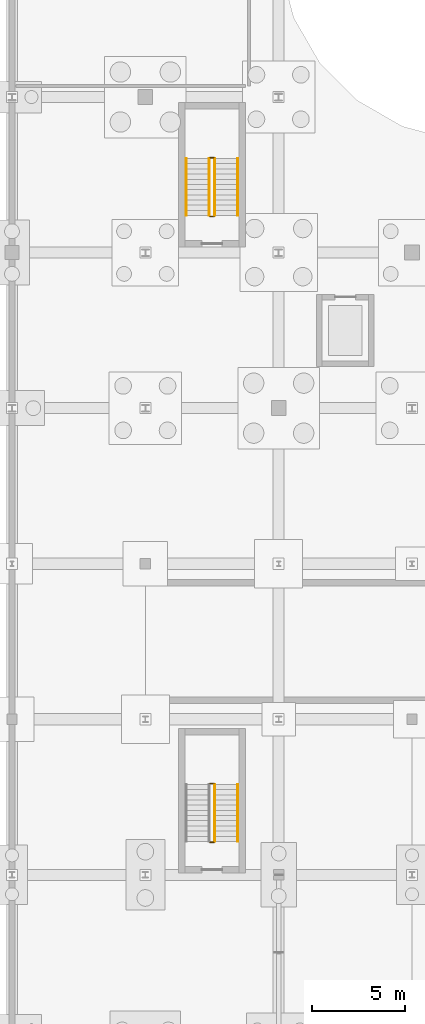
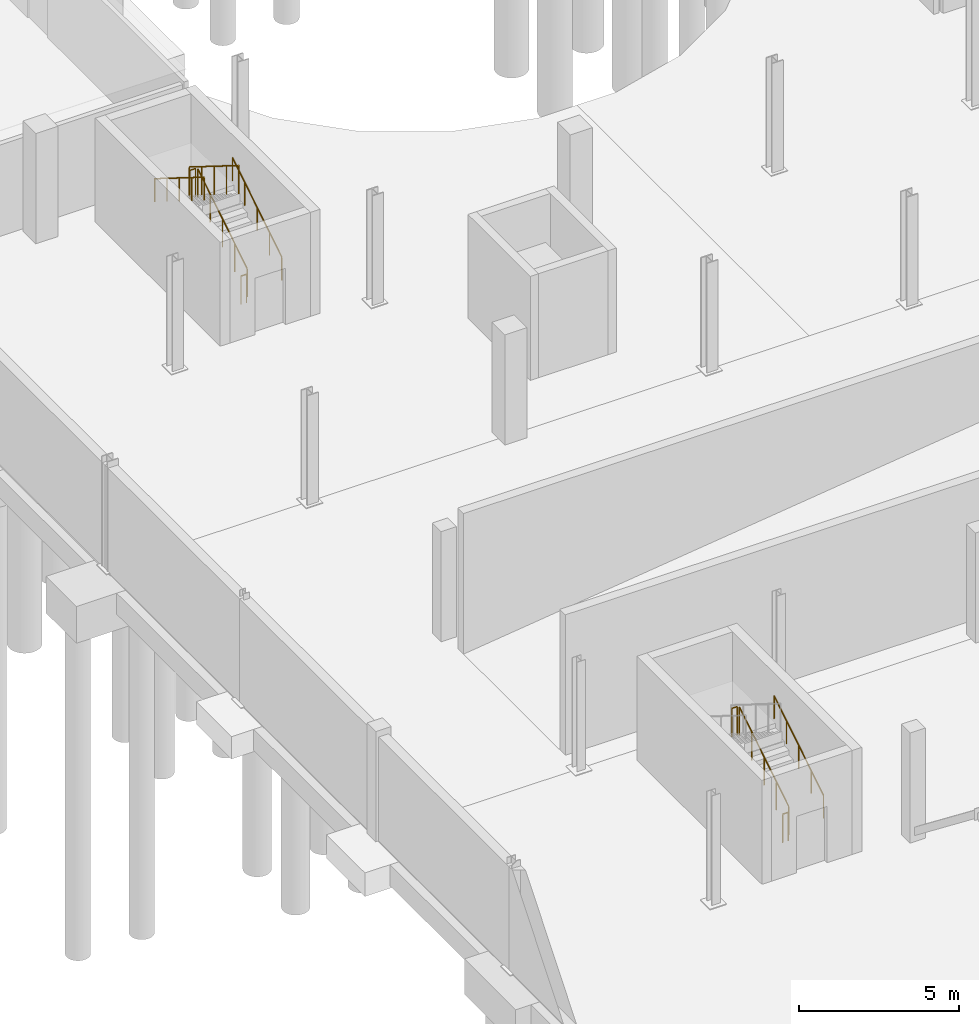
# One storey, part 27 of 32: 10 railings.
"""IFC4 building model written with IfcOpenShell, lengths in metres."""

from ifc_helpers import new_model, si_unit, direction, frame, origin, origin_2d, place, context, subcontext, project, spatial, circle, extrude, material, type_object, element, save


model = new_model("IFC4")

# Units and contexts
model_context = context("Model", 3, precision=1e-05, world=origin(), true_north=direction((0.0, 1.0)))
body_context = subcontext(model_context, "Body", "Model", "MODEL_VIEW")
ifc_project = project(units=[si_unit("LENGTHUNIT", "METRE"), si_unit("AREAUNIT", "SQUARE_METRE"), si_unit("VOLUMEUNIT", "CUBIC_METRE"), si_unit("PLANEANGLEUNIT", "RADIAN"), si_unit("MASSUNIT", "GRAM", prefix="KILO")], contexts=[model_context])

# Site, building, storey
site_placement = place(None, origin())
site = spatial("IfcSite", under=ifc_project, at=site_placement, CompositionType="ELEMENT")
building_placement = place(site_placement, origin())
building = spatial("IfcBuilding", under=site, at=building_placement, Name="Qelthora Terrace Specialist Clinic", CompositionType="ELEMENT")
storey_placement = place(building_placement, frame((0.0, 0.0, -4.199951171875)))
storey = spatial("IfcBuildingStorey", under=building, at=storey_placement, Name="B1", CompositionType="ELEMENT", Elevation=-4.199951171875)

# Railings
ifc_material = material(Name="Steel S355", Category="steel")
railing_type_1 = type_object("IfcRailingType", Name="RAL-GD-1100-S355", PredefinedType="GUARDRAIL", material=ifc_material)
railing_1_placement = place(storey_placement, frame((10.949951171875, 69.199951171875, 0.175048828125)))
element("IfcRailing", 1, at=railing_1_placement, inside=storey, type_object=railing_type_1, Name="B1 ST-01 stair guard 1", PredefinedType="GUARDRAIL", context=body_context, shape_type="SweptSolid", body=[
    extrude(circle(Radius=0.02392578125, at=origin_2d()), frame((0.0, 0.0, 1.076171875), z_axis=(0.0, 0.848028513186, 0.529950602248), x_axis=(-1.0, 0.0, 0.0)), (0.0, 0.0, 1.0), 3.632080078125),
    extrude(circle(Radius=0.02099609375, at=origin_2d()), origin(), (0.0, 0.0, 1.0), 1.052001953125),
    extrude(circle(Radius=0.02099609375, at=origin_2d()), frame((0.0, 0.77001953125, 0.481201171875)), (0.0, 0.0, 1.0), 1.052001953125),
    extrude(circle(Radius=0.02099609375, at=origin_2d()), frame((0.0, 1.5400390625, 0.96240234375)), (0.0, 0.0, 1.0), 1.052001953125),
    extrude(circle(Radius=0.02099609375, at=origin_2d()), frame((0.0, 2.31005859375, 1.443603515625)), (0.0, 0.0, 1.0), 1.052001953125),
    extrude(circle(Radius=0.02099609375, at=origin_2d()), frame((0.0, 3.080078125, 1.9248046875)), (0.0, 0.0, 1.0), 1.052001953125),
])
railing_2_placement = place(storey_placement, frame((10.89990234375, 72.330078125, 2.099853515625)))
element("IfcRailing", 2, at=railing_2_placement, inside=storey, type_object=railing_type_1, Name="B1 ST-01 stair guard 2", PredefinedType="GUARDRAIL", context=body_context, shape_type="SweptSolid", body=[
    extrude(circle(Radius=0.02392578125, at=origin_2d()), frame((0.0, 0.0, 1.076171875), z_axis=(-1.0, 0.0, 0.0), x_axis=(0.0, -1.0, 0.0)), (0.0, 0.0, 1.0), 0.199951171875),
    extrude(circle(Radius=0.02099609375, at=origin_2d()), origin(), (0.0, 0.0, 1.0), 1.052001953125),
    extrude(circle(Radius=0.02099609375, at=origin_2d()), frame((-0.199951171875, 0.0, 0.0)), (0.0, 0.0, 1.0), 1.052001953125),
])
railing_3_placement = place(storey_placement, frame((10.64990234375, 72.280029296875, 2.27490234375)))
element("IfcRailing", 3, at=railing_3_placement, inside=storey, type_object=railing_type_1, Name="B1 ST-01 stair guard 3", PredefinedType="GUARDRAIL", context=body_context, shape_type="SweptSolid", body=[
    extrude(circle(Radius=0.02392578125, at=origin_2d()), frame((0.0, 0.0, 1.076171875), z_axis=(0.0, -0.847998304005, 0.529998940003), x_axis=(1.0, 0.0, 0.0)), (0.0, 0.0, 1.0), 3.632080078125),
    extrude(circle(Radius=0.02099609375, at=origin_2d()), origin(), (0.0, 0.0, 1.0), 1.052001953125),
    extrude(circle(Radius=0.02099609375, at=origin_2d()), frame((0.0, -0.77001953125, 0.481201171875)), (0.0, 0.0, 1.0), 1.052001953125),
    extrude(circle(Radius=0.02099609375, at=origin_2d()), frame((0.0, -1.5400390625, 0.96240234375)), (0.0, 0.0, 1.0), 1.052001953125),
    extrude(circle(Radius=0.02099609375, at=origin_2d()), frame((0.0, -2.31005859375, 1.44384765625)), (0.0, 0.0, 1.0), 1.052001953125),
    extrude(circle(Radius=0.02099609375, at=origin_2d()), frame((0.0, -3.080078125, 1.925048828125)), (0.0, 0.0, 1.0), 1.052001953125),
])
railing_4_placement = place(storey_placement, frame((10.89990234375, 69.14990234375, 0.0)))
element("IfcRailing", 4, at=railing_4_placement, inside=storey, type_object=railing_type_1, Name="B1 ST-01 stair guard 4", PredefinedType="GUARDRAIL", context=body_context, shape_type="SweptSolid", body=[
    extrude(circle(Radius=0.02392578125, at=origin_2d()), frame((0.0, 0.0, 1.076171875), z_axis=(-1.0, 0.0, 0.0), x_axis=(0.0, -1.0, 0.0)), (0.0, 0.0, 1.0), 0.199951171875),
    extrude(circle(Radius=0.02099609375, at=origin_2d()), origin(), (0.0, 0.0, 1.0), 1.052001953125),
    extrude(circle(Radius=0.02099609375, at=origin_2d()), frame((-0.199951171875, 0.0, 0.0)), (0.0, 0.0, 1.0), 1.052001953125),
])
railing_5_placement = place(storey_placement, frame((10.949951171875, 35.39990234375, 0.175048828125)))
element("IfcRailing", 5, at=railing_5_placement, inside=storey, type_object=railing_type_1, Name="B1 ST-04 stair guard 1", PredefinedType="GUARDRAIL", context=body_context, shape_type="SweptSolid", body=[
    extrude(circle(Radius=0.02392578125, at=origin_2d()), frame((0.0, 0.0, 1.076171875), z_axis=(0.0, 0.848028513186, 0.529950602248), x_axis=(-1.0, 0.0, 0.0)), (0.0, 0.0, 1.0), 3.632080078125),
    extrude(circle(Radius=0.02099609375, at=origin_2d()), origin(), (0.0, 0.0, 1.0), 1.052001953125),
    extrude(circle(Radius=0.02099609375, at=origin_2d()), frame((0.0, 0.77001953125, 0.481201171875)), (0.0, 0.0, 1.0), 1.052001953125),
    extrude(circle(Radius=0.02099609375, at=origin_2d()), frame((0.0, 1.5400390625, 0.96240234375)), (0.0, 0.0, 1.0), 1.052001953125),
    extrude(circle(Radius=0.02099609375, at=origin_2d()), frame((0.0, 2.31005859375, 1.443603515625)), (0.0, 0.0, 1.0), 1.052001953125),
    extrude(circle(Radius=0.02099609375, at=origin_2d()), frame((0.0, 3.080078125, 1.9248046875)), (0.0, 0.0, 1.0), 1.052001953125),
])
for number, where, name in (
    (6, (10.89990234375, 38.530029296875, 2.099853515625), "B1 ST-04 stair guard 2"),
    (7, (10.89990234375, 35.35009765625, 0.0), "B1 ST-04 stair guard 4"),
):
    element("IfcRailing", number, at=place(storey_placement, frame(where)), inside=storey, type_object=railing_type_1, Name=name, PredefinedType="GUARDRAIL", context=body_context, shape_type="SweptSolid", body=[
        extrude(circle(Radius=0.02392578125, at=origin_2d()), frame((0.0, 0.0, 1.076171875), z_axis=(-1.0, 0.0, 0.0), x_axis=(0.0, -1.0, 0.0)), (0.0, 0.0, 1.0), 0.199951171875),
        extrude(circle(Radius=0.02099609375, at=origin_2d()), origin(), (0.0, 0.0, 1.0), 1.052001953125),
        extrude(circle(Radius=0.02099609375, at=origin_2d()), frame((-0.199951171875, 0.0, 0.0)), (0.0, 0.0, 1.0), 1.052001953125),
    ])
railing_type_2 = type_object("IfcRailingType", Name="RAL-HR-900-S355", PredefinedType="HANDRAIL", material=ifc_material)
railing_6_placement = place(storey_placement, frame((12.199951171875, 69.199951171875, 0.367919921875)))
element("IfcRailing", 8, at=railing_6_placement, inside=storey, type_object=railing_type_2, Name="B1 ST-01 stair handrail 1", PredefinedType="HANDRAIL", context=body_context, shape_type="SweptSolid", body=[
    extrude(circle(Radius=0.02392578125, at=origin_2d()), frame((0.0, 0.0, 0.8759765625), z_axis=(0.0, 0.847998304005, 0.529998940003), x_axis=(-1.0, 0.0, 0.0)), (0.0, 0.0, 1.0), 3.632080078125),
    extrude(circle(Radius=0.02099609375, at=origin_2d()), origin(), (0.0, 0.0, 1.0), 0.851806640625),
    extrude(circle(Radius=0.02099609375, at=origin_2d()), frame((0.0, 0.77001953125, 0.481201171875)), (0.0, 0.0, 1.0), 0.851806640625),
    extrude(circle(Radius=0.02099609375, at=origin_2d()), frame((0.0, 1.5400390625, 0.96240234375)), (0.0, 0.0, 1.0), 0.851806640625),
    extrude(circle(Radius=0.02099609375, at=origin_2d()), frame((0.0, 2.31005859375, 1.44384765625)), (0.0, 0.0, 1.0), 0.851806640625),
    extrude(circle(Radius=0.02099609375, at=origin_2d()), frame((0.0, 3.080078125, 1.925048828125)), (0.0, 0.0, 1.0), 0.851806640625),
])
railing_7_placement = place(storey_placement, frame((9.39990234375, 72.280029296875, 2.468017578125)))
element("IfcRailing", 9, at=railing_7_placement, inside=storey, type_object=railing_type_2, Name="B1 ST-01 stair handrail 2", PredefinedType="HANDRAIL", context=body_context, shape_type="SweptSolid", body=[
    extrude(circle(Radius=0.02392578125, at=origin_2d()), frame((0.0, 0.0, 0.8759765625), z_axis=(0.0, -0.847998304005, 0.529998940003), x_axis=(1.0, 0.0, 0.0)), (0.0, 0.0, 1.0), 3.632080078125),
    extrude(circle(Radius=0.02099609375, at=origin_2d()), origin(), (0.0, 0.0, 1.0), 0.851806640625),
    extrude(circle(Radius=0.02099609375, at=origin_2d()), frame((0.0, -0.77001953125, 0.481201171875)), (0.0, 0.0, 1.0), 0.851806640625),
    extrude(circle(Radius=0.02099609375, at=origin_2d()), frame((0.0, -1.5400390625, 0.96240234375)), (0.0, 0.0, 1.0), 0.851806640625),
    extrude(circle(Radius=0.02099609375, at=origin_2d()), frame((0.0, -2.31005859375, 1.44384765625)), (0.0, 0.0, 1.0), 0.851806640625),
    extrude(circle(Radius=0.02099609375, at=origin_2d()), frame((0.0, -3.080078125, 1.925048828125)), (0.0, 0.0, 1.0), 0.851806640625),
])
railing_8_placement = place(storey_placement, frame((12.199951171875, 35.39990234375, 0.367919921875)))
element("IfcRailing", 10, at=railing_8_placement, inside=storey, type_object=railing_type_2, Name="B1 ST-04 stair handrail 1", PredefinedType="HANDRAIL", context=body_context, shape_type="SweptSolid", body=[
    extrude(circle(Radius=0.02392578125, at=origin_2d()), frame((0.0, 0.0, 0.8759765625), z_axis=(0.0, 0.847998304005, 0.529998940003), x_axis=(-1.0, 0.0, 0.0)), (0.0, 0.0, 1.0), 3.632080078125),
    extrude(circle(Radius=0.02099609375, at=origin_2d()), origin(), (0.0, 0.0, 1.0), 0.851806640625),
    extrude(circle(Radius=0.02099609375, at=origin_2d()), frame((0.0, 0.77001953125, 0.481201171875)), (0.0, 0.0, 1.0), 0.851806640625),
    extrude(circle(Radius=0.02099609375, at=origin_2d()), frame((0.0, 1.5400390625, 0.96240234375)), (0.0, 0.0, 1.0), 0.851806640625),
    extrude(circle(Radius=0.02099609375, at=origin_2d()), frame((0.0, 2.31005859375, 1.44384765625)), (0.0, 0.0, 1.0), 0.851806640625),
    extrude(circle(Radius=0.02099609375, at=origin_2d()), frame((0.0, 3.080078125, 1.925048828125)), (0.0, 0.0, 1.0), 0.851806640625),
])

save(model, "model.ifc")
